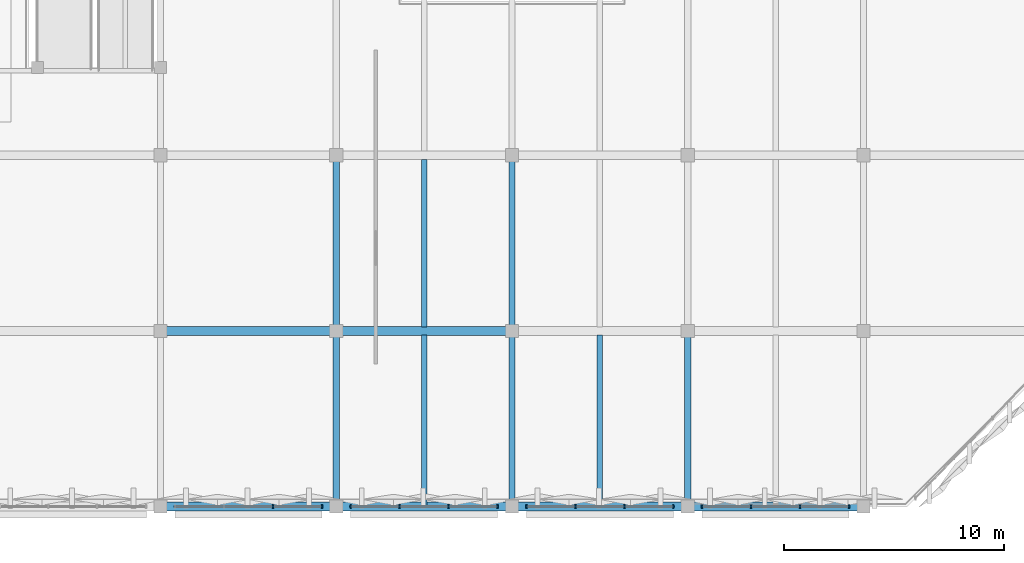
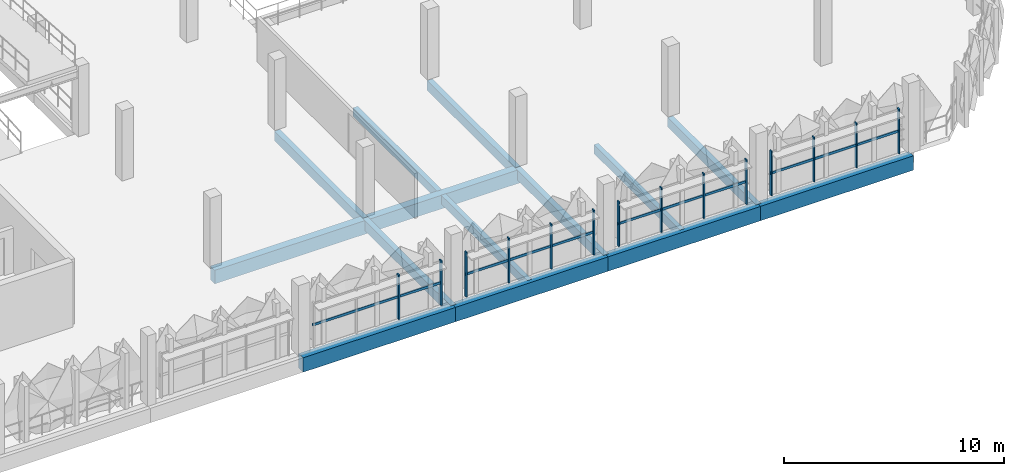
# One storey, part 43 of 123: 18 members, 14 beams, 4 elements without a shape of their own.
"""IFC4 building model written with IfcOpenShell, lengths in metres."""

from ifc_helpers import new_model, si_unit, derived_unit, direction, frame, origin, origin_2d, place, context, subcontext, project, spatial, rectangle, extrude, material, layer, layer_set, material_profile, profile_set, type_object, element, aggregate, save


model = new_model("IFC4")

# Units and contexts
model_context = context("Model", 3, precision=1e-05, world=origin(), true_north=direction((0.0, 1.0)))
body_context = subcontext(model_context, "Body", "Model", "MODEL_VIEW")
ifc_project = project(units=[si_unit("LENGTHUNIT", "METRE"), si_unit("AREAUNIT", "SQUARE_METRE"), si_unit("VOLUMEUNIT", "CUBIC_METRE"), si_unit("PLANEANGLEUNIT", "RADIAN"), si_unit("MASSUNIT", "GRAM", prefix="KILO"), si_unit("THERMODYNAMICTEMPERATUREUNIT", "KELVIN"), derived_unit("THERMALTRANSMITTANCEUNIT", [(si_unit("POWERUNIT", "WATT"), 1), (si_unit("AREAUNIT", "SQUARE_METRE"), -1), (si_unit("THERMODYNAMICTEMPERATUREUNIT", "KELVIN"), -1)])], contexts=[model_context])

# Site, building, storey
site_placement = place(None, origin())
site = spatial("IfcSite", under=ifc_project, at=site_placement, CompositionType="ELEMENT")
building_placement = place(site_placement, origin())
building = spatial("IfcBuilding", under=site, at=building_placement, Name="Haiyu Intermodal Mobility Hub", CompositionType="ELEMENT")
storey_placement = place(building_placement, frame((0.0, 0.0, 5.60009765625)))
storey = spatial("IfcBuildingStorey", under=building, at=storey_placement, Name="L01", CompositionType="ELEMENT", Elevation=5.60009765625)

# Beams
ifc_material_1 = material(Name="Concrete C40", Category="concrete")
ifc_material_profile_1 = material_profile(ifc_material_1, rectangle(XDim=0.39990234375, YDim=0.75, at=origin_2d()), Name="RCB400x750")
ifc_profile_set_1 = profile_set([ifc_material_profile_1], Name="Concrete C40")
beam_type_1 = type_object("IfcBeamType", Name="BM-CB03", PredefinedType="BEAM", material=ifc_profile_set_1)
for number, where, z_axis, x_axis, name in (
    (1, (170.0, 24.0, -0.635009765625), (1.0, 0.0, 0.0), (0.0, 1.0, 0.0), "BM-V5G-L01-009"),
    (2, (178.0, 24.0, -0.635009765625), (1.0, 0.0, 0.0), (0.0, 1.0, 0.0), "BM-V5G-L01-010"),
):
    element("IfcBeam", number, at=place(storey_placement, frame(where, z_axis=z_axis, x_axis=x_axis)), inside=storey, type_object=beam_type_1, Name=name, PredefinedType="BEAM", context=body_context, shape_type="SweptSolid", body=[
        extrude(rectangle(XDim=0.39990234375, YDim=0.75, at=origin_2d()), origin(), (0.0, 0.0, 1.0), 8.0),
    ])
ifc_material_profile_2 = material_profile(ifc_material_1, rectangle(XDim=0.39990234375, YDim=0.800048828125, at=origin_2d()), Name="RCB400x800")
ifc_profile_set_2 = profile_set([ifc_material_profile_2], Name="Concrete C40")
beam_type_2 = type_object("IfcBeamType", Name="BM-CB05", PredefinedType="BEAM", material=ifc_profile_set_2)
for number, where, z_axis, x_axis, name in (
    (3, (170.0, 16.0, -0.66015625), (1.0, 0.0, 0.0), (0.0, 1.0, 0.0), "BM-V5G-L01-003"),
    (4, (178.0, 16.0, -0.66015625), (1.0, 0.0, 0.0), (0.0, 1.0, 0.0), "BM-V5G-L01-004"),
    (5, (186.0, 16.0, -0.66015625), (1.0, 0.0, 0.0), (0.0, 1.0, 0.0), "BM-V5G-L01-005"),
    (6, (194.0, 16.0, -0.66015625), (1.0, 0.0, 0.0), (0.0, 1.0, 0.0), "BM-V5G-L01-006"),
):
    element("IfcBeam", number, at=place(storey_placement, frame(where, z_axis=z_axis, x_axis=x_axis)), inside=storey, type_object=beam_type_2, Name=name, PredefinedType="BEAM", context=body_context, shape_type="SweptSolid", body=[
        extrude(rectangle(XDim=0.39990234375, YDim=0.800048828125, at=origin_2d()), origin(), (0.0, 0.0, 1.0), 8.0),
    ])
ifc_material_profile_3 = material_profile(ifc_material_1, rectangle(XDim=0.280029296875, YDim=0.5400390625, at=origin_2d()), Name="RCB280x540")
ifc_profile_set_3 = profile_set([ifc_material_profile_3], Name="Concrete C40")
beam_type_3 = type_object("IfcBeamType", Name="BM-CB08", PredefinedType="JOIST", material=ifc_profile_set_3)
for number, where, z_axis, x_axis, name in (
    (7, (178.0, 16.0, -0.530029296875), (0.0, 1.0, 0.0), (-1.0, 0.0, 0.0), "BM-V5T-L01-025"),
    (8, (178.0, 24.0, -0.530029296875), (0.0, 1.0, 0.0), (-1.0, 0.0, 0.0), "BM-V5T-L01-026"),
    (9, (186.0, 16.0, -0.530029296875), (0.0, 1.0, 0.0), (-1.0, 0.0, 0.0), "BM-V5T-L01-033"),
    (10, (186.0, 24.0, -0.530029296875), (0.0, 1.0, 0.0), (-1.0, 0.0, 0.0), "BM-V5T-L01-034"),
    (11, (194.0, 16.0, -0.530029296875), (0.0, 1.0, 0.0), (-1.0, 0.0, 0.0), "BM-V5T-L01-041"),
):
    element("IfcBeam", number, at=place(storey_placement, frame(where, z_axis=z_axis, x_axis=x_axis)), inside=storey, type_object=beam_type_3, Name=name, PredefinedType="JOIST", context=body_context, shape_type="SweptSolid", body=[
        extrude(rectangle(XDim=0.280029296875, YDim=0.5400390625, at=origin_2d()), origin(), (0.0, 0.0, 1.0), 8.0),
    ])
ifc_material_profile_4 = material_profile(ifc_material_1, rectangle(XDim=0.25, YDim=0.47998046875, at=origin_2d()), Name="RCB250x480")
ifc_profile_set_4 = profile_set([ifc_material_profile_4], Name="Concrete C40")
beam_type_4 = type_object("IfcBeamType", Name="BM-CB09", PredefinedType="JOIST", material=ifc_profile_set_4)
beam_1_placement = place(storey_placement, frame((182.0, 16.0, -0.5), z_axis=(0.0, 1.0, 0.0), x_axis=(-1.0, 0.0, 0.0)))
element("IfcBeam", 12, at=beam_1_placement, inside=storey, type_object=beam_type_4, Name="BM-V5J-L01-009", PredefinedType="JOIST", context=body_context, shape_type="SweptSolid", body=[
    extrude(rectangle(XDim=0.25, YDim=0.47998046875, at=origin_2d()), origin(), (0.0, 0.0, 1.0), 7.81494140625),
])
beam_2_placement = place(storey_placement, frame((182.0, 24.18505859375, -0.5), z_axis=(0.0, 1.0, 0.0), x_axis=(-1.0, 0.0, 0.0)))
element("IfcBeam", 13, at=beam_2_placement, inside=storey, type_object=beam_type_4, Name="BM-V5J-L01-010", PredefinedType="JOIST", context=body_context, shape_type="SweptSolid", body=[
    extrude(rectangle(XDim=0.25, YDim=0.47998046875, at=origin_2d()), origin(), (0.0, 0.0, 1.0), 7.6298828125),
])
beam_3_placement = place(storey_placement, frame((190.0, 16.0, -0.5), z_axis=(0.0, 1.0, 0.0), x_axis=(-1.0, 0.0, 0.0)))
element("IfcBeam", 14, at=beam_3_placement, inside=storey, type_object=beam_type_4, Name="BM-V5J-L01-015", PredefinedType="JOIST", context=body_context, shape_type="SweptSolid", body=[
    extrude(rectangle(XDim=0.25, YDim=0.47998046875, at=origin_2d()), origin(), (0.0, 0.0, 1.0), 7.81494140625),
])

# Curtain wall, members
ifc_material_2 = material(Name="Low-e laminated insulating glass", Category="glass")
ifc_layer = layer(ifc_material_2, 0.2099609375)
ifc_layer_set = layer_set([ifc_layer], Name="Low-e laminated insulating glass")
curtain_wall_type = type_object("IfcCurtainWallType", Name="CW-CW04", PredefinedType="NOTDEFINED", material=ifc_layer_set)
curtain_wall_1_placement = place(storey_placement, origin())
curtain_wall_1 = element("IfcCurtainWall", 15, at=curtain_wall_1_placement, inside=storey, type_object=curtain_wall_type, Name="Curtain Wall CW-V5S-L01-095", PredefinedType="NOTDEFINED")
ifc_material_3 = material(Name="Anodised aluminium 6063-T6", Category="aluminium")
ifc_material_profile_5 = material_profile(ifc_material_3, rectangle(XDim=0.06494140625, YDim=0.1650390625, at=origin_2d()), Name="ALU65x165")
ifc_profile_set_5 = profile_set([ifc_material_profile_5], Name="Anodised aluminium 6063-T6")
member_type_1 = type_object("IfcMemberType", Name="CWM-ML02", PredefinedType="MULLION", material=ifc_profile_set_5)
member_1_placement = place(storey_placement, frame((175.113037109375, 16.0, 0.0), z_axis=(0.0, 0.0, 1.0), x_axis=(1.0, 0.0, 0.0)))
member_1 = element("IfcMember", 16, at=member_1_placement, type_object=member_type_1, Name="CW-V5S-L01-095-ML03", PredefinedType="MULLION", context=body_context, shape_type="SweptSolid", body=[
    extrude(rectangle(XDim=0.06494140625, YDim=0.1650390625, at=origin_2d()), origin(), (0.0, 0.0, 1.0), 2.47998046875),
])
member_2_placement = place(storey_placement, frame((177.340087890625, 16.0, 0.0), z_axis=(0.0, 0.0, 1.0), x_axis=(1.0, 0.0, 0.0)))
member_2 = element("IfcMember", 17, at=member_2_placement, type_object=member_type_1, Name="CW-V5S-L01-095-ML04", PredefinedType="MULLION", context=body_context, shape_type="SweptSolid", body=[
    extrude(rectangle(XDim=0.06494140625, YDim=0.1650390625, at=origin_2d()), origin(), (0.0, 0.0, 1.0), 2.47998046875),
])

curtain_wall_2_placement = place(storey_placement, origin())
curtain_wall_2 = element("IfcCurtainWall", 18, at=curtain_wall_2_placement, inside=storey, type_object=curtain_wall_type, Name="Curtain Wall CW-V5S-L01-096", PredefinedType="NOTDEFINED")
member_3_placement = place(storey_placement, frame((178.659912109375, 16.0, 0.0), z_axis=(0.0, 0.0, 1.0), x_axis=(1.0, 0.0, 0.0)))
member_3 = element("IfcMember", 19, at=member_3_placement, type_object=member_type_1, Name="CW-V5S-L01-096-ML01", PredefinedType="MULLION", context=body_context, shape_type="SweptSolid", body=[
    extrude(rectangle(XDim=0.06494140625, YDim=0.1650390625, at=origin_2d()), origin(), (0.0, 0.0, 1.0), 2.47998046875),
])
member_4_placement = place(storey_placement, frame((180.886962890625, 16.0, 0.0), z_axis=(0.0, 0.0, 1.0), x_axis=(1.0, 0.0, 0.0)))
member_4 = element("IfcMember", 20, at=member_4_placement, type_object=member_type_1, Name="CW-V5S-L01-096-ML02", PredefinedType="MULLION", context=body_context, shape_type="SweptSolid", body=[
    extrude(rectangle(XDim=0.06494140625, YDim=0.1650390625, at=origin_2d()), origin(), (0.0, 0.0, 1.0), 2.47998046875),
])
member_5_placement = place(storey_placement, frame((183.113037109375, 16.0, 0.0), z_axis=(0.0, 0.0, 1.0), x_axis=(1.0, 0.0, 0.0)))
member_5 = element("IfcMember", 21, at=member_5_placement, type_object=member_type_1, Name="CW-V5S-L01-096-ML03", PredefinedType="MULLION", context=body_context, shape_type="SweptSolid", body=[
    extrude(rectangle(XDim=0.06494140625, YDim=0.1650390625, at=origin_2d()), origin(), (0.0, 0.0, 1.0), 2.47998046875),
])
member_6_placement = place(storey_placement, frame((185.340087890625, 16.0, 0.0), z_axis=(0.0, 0.0, 1.0), x_axis=(1.0, 0.0, 0.0)))
member_6 = element("IfcMember", 22, at=member_6_placement, type_object=member_type_1, Name="CW-V5S-L01-096-ML04", PredefinedType="MULLION", context=body_context, shape_type="SweptSolid", body=[
    extrude(rectangle(XDim=0.06494140625, YDim=0.1650390625, at=origin_2d()), origin(), (0.0, 0.0, 1.0), 2.47998046875),
])

curtain_wall_3_placement = place(storey_placement, origin())
curtain_wall_3 = element("IfcCurtainWall", 23, at=curtain_wall_3_placement, inside=storey, type_object=curtain_wall_type, Name="Curtain Wall CW-V5S-L01-097", PredefinedType="NOTDEFINED")
member_7_placement = place(storey_placement, frame((186.659912109375, 16.0, 0.0), z_axis=(0.0, 0.0, 1.0), x_axis=(1.0, 0.0, 0.0)))
member_7 = element("IfcMember", 24, at=member_7_placement, type_object=member_type_1, Name="CW-V5S-L01-097-ML01", PredefinedType="MULLION", context=body_context, shape_type="SweptSolid", body=[
    extrude(rectangle(XDim=0.06494140625, YDim=0.1650390625, at=origin_2d()), origin(), (0.0, 0.0, 1.0), 2.47998046875),
])
member_8_placement = place(storey_placement, frame((188.886962890625, 16.0, 0.0), z_axis=(0.0, 0.0, 1.0), x_axis=(1.0, 0.0, 0.0)))
member_8 = element("IfcMember", 25, at=member_8_placement, type_object=member_type_1, Name="CW-V5S-L01-097-ML02", PredefinedType="MULLION", context=body_context, shape_type="SweptSolid", body=[
    extrude(rectangle(XDim=0.06494140625, YDim=0.1650390625, at=origin_2d()), origin(), (0.0, 0.0, 1.0), 2.47998046875),
])
member_9_placement = place(storey_placement, frame((191.113037109375, 16.0, 0.0), z_axis=(0.0, 0.0, 1.0), x_axis=(1.0, 0.0, 0.0)))
member_9 = element("IfcMember", 26, at=member_9_placement, type_object=member_type_1, Name="CW-V5S-L01-097-ML03", PredefinedType="MULLION", context=body_context, shape_type="SweptSolid", body=[
    extrude(rectangle(XDim=0.06494140625, YDim=0.1650390625, at=origin_2d()), origin(), (0.0, 0.0, 1.0), 2.47998046875),
])
member_10_placement = place(storey_placement, frame((193.340087890625, 16.0, 0.0), z_axis=(0.0, 0.0, 1.0), x_axis=(1.0, 0.0, 0.0)))
member_10 = element("IfcMember", 27, at=member_10_placement, type_object=member_type_1, Name="CW-V5S-L01-097-ML04", PredefinedType="MULLION", context=body_context, shape_type="SweptSolid", body=[
    extrude(rectangle(XDim=0.06494140625, YDim=0.1650390625, at=origin_2d()), origin(), (0.0, 0.0, 1.0), 2.47998046875),
])

curtain_wall_4_placement = place(storey_placement, origin())
curtain_wall_4 = element("IfcCurtainWall", 28, at=curtain_wall_4_placement, inside=storey, type_object=curtain_wall_type, Name="Curtain Wall CW-V5S-L01-098", PredefinedType="NOTDEFINED")
member_11_placement = place(storey_placement, frame((194.659912109375, 16.0, 0.0), z_axis=(0.0, 0.0, 1.0), x_axis=(1.0, 0.0, 0.0)))
member_11 = element("IfcMember", 29, at=member_11_placement, type_object=member_type_1, Name="CW-V5S-L01-098-ML01", PredefinedType="MULLION", context=body_context, shape_type="SweptSolid", body=[
    extrude(rectangle(XDim=0.06494140625, YDim=0.1650390625, at=origin_2d()), origin(), (0.0, 0.0, 1.0), 2.47998046875),
])
member_12_placement = place(storey_placement, frame((196.886962890625, 16.0, 0.0), z_axis=(0.0, 0.0, 1.0), x_axis=(1.0, 0.0, 0.0)))
member_12 = element("IfcMember", 30, at=member_12_placement, type_object=member_type_1, Name="CW-V5S-L01-098-ML02", PredefinedType="MULLION", context=body_context, shape_type="SweptSolid", body=[
    extrude(rectangle(XDim=0.06494140625, YDim=0.1650390625, at=origin_2d()), origin(), (0.0, 0.0, 1.0), 2.47998046875),
])
member_13_placement = place(storey_placement, frame((199.113037109375, 16.0, 0.0), z_axis=(0.0, 0.0, 1.0), x_axis=(1.0, 0.0, 0.0)))
member_13 = element("IfcMember", 31, at=member_13_placement, type_object=member_type_1, Name="CW-V5S-L01-098-ML03", PredefinedType="MULLION", context=body_context, shape_type="SweptSolid", body=[
    extrude(rectangle(XDim=0.06494140625, YDim=0.1650390625, at=origin_2d()), origin(), (0.0, 0.0, 1.0), 2.47998046875),
])
member_14_placement = place(storey_placement, frame((201.340087890625, 16.0, 0.0), z_axis=(0.0, 0.0, 1.0), x_axis=(1.0, 0.0, 0.0)))
member_14 = element("IfcMember", 32, at=member_14_placement, type_object=member_type_1, Name="CW-V5S-L01-098-ML04", PredefinedType="MULLION", context=body_context, shape_type="SweptSolid", body=[
    extrude(rectangle(XDim=0.06494140625, YDim=0.1650390625, at=origin_2d()), origin(), (0.0, 0.0, 1.0), 2.47998046875),
])

# Member
ifc_material_profile_6 = material_profile(ifc_material_3, rectangle(XDim=0.06494140625, YDim=0.135009765625, at=origin_2d()), Name="ALU65x135")
ifc_profile_set_6 = profile_set([ifc_material_profile_6], Name="Anodised aluminium 6063-T6")
member_type_2 = type_object("IfcMemberType", Name="CWM-TR02", PredefinedType="USERDEFINED", material=ifc_profile_set_6)
member_15_placement = place(storey_placement, frame((170.6201171875, 16.0, 1.239990234375), z_axis=(1.0, 0.0, 0.0), x_axis=(0.0, 1.0, 0.0)))
member_15 = element("IfcMember", 33, at=member_15_placement, type_object=member_type_2, Name="CW-V5S-L01-095-TR01", ObjectType="TRANSOM", PredefinedType="USERDEFINED", context=body_context, shape_type="SweptSolid", body=[
    extrude(rectangle(XDim=0.06494140625, YDim=0.135009765625, at=origin_2d()), origin(), (0.0, 0.0, 1.0), 6.759765625),
])

aggregate(curtain_wall_1, [member_1, member_2, member_15])

member_16_placement = place(storey_placement, frame((178.6201171875, 16.0, 1.239990234375), z_axis=(1.0, 0.0, 0.0), x_axis=(0.0, 1.0, 0.0)))
member_16 = element("IfcMember", 34, at=member_16_placement, type_object=member_type_2, Name="CW-V5S-L01-096-TR01", ObjectType="TRANSOM", PredefinedType="USERDEFINED", context=body_context, shape_type="SweptSolid", body=[
    extrude(rectangle(XDim=0.06494140625, YDim=0.135009765625, at=origin_2d()), origin(), (0.0, 0.0, 1.0), 6.759765625),
])

aggregate(curtain_wall_2, [member_3, member_4, member_5, member_6, member_16])

member_17_placement = place(storey_placement, frame((186.6201171875, 16.0, 1.239990234375), z_axis=(1.0, 0.0, 0.0), x_axis=(0.0, 1.0, 0.0)))
member_17 = element("IfcMember", 35, at=member_17_placement, type_object=member_type_2, Name="CW-V5S-L01-097-TR01", ObjectType="TRANSOM", PredefinedType="USERDEFINED", context=body_context, shape_type="SweptSolid", body=[
    extrude(rectangle(XDim=0.06494140625, YDim=0.135009765625, at=origin_2d()), origin(), (0.0, 0.0, 1.0), 6.759765625),
])

aggregate(curtain_wall_3, [member_7, member_8, member_9, member_10, member_17])

member_18_placement = place(storey_placement, frame((194.6201171875, 16.0, 1.239990234375), z_axis=(1.0, 0.0, 0.0), x_axis=(0.0, 1.0, 0.0)))
member_18 = element("IfcMember", 36, at=member_18_placement, type_object=member_type_2, Name="CW-V5S-L01-098-TR01", ObjectType="TRANSOM", PredefinedType="USERDEFINED", context=body_context, shape_type="SweptSolid", body=[
    extrude(rectangle(XDim=0.06494140625, YDim=0.135009765625, at=origin_2d()), origin(), (0.0, 0.0, 1.0), 6.759765625),
])

aggregate(curtain_wall_4, [member_11, member_12, member_13, member_14, member_18])

save(model, "model.ifc")
